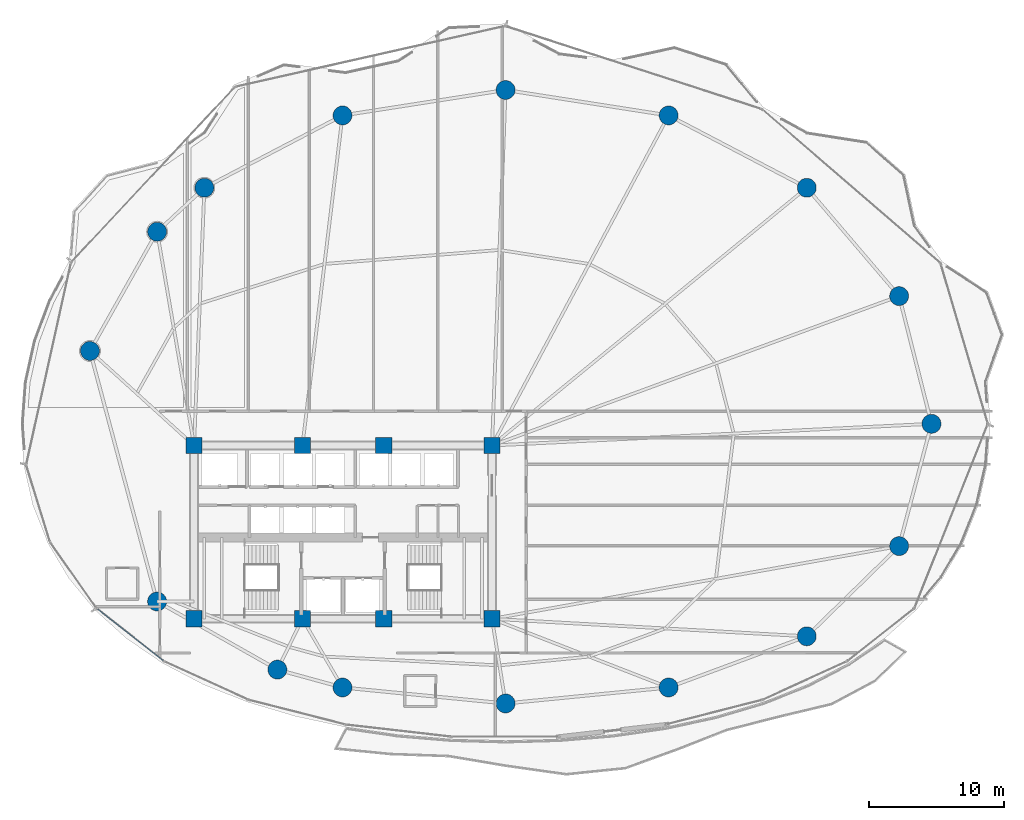
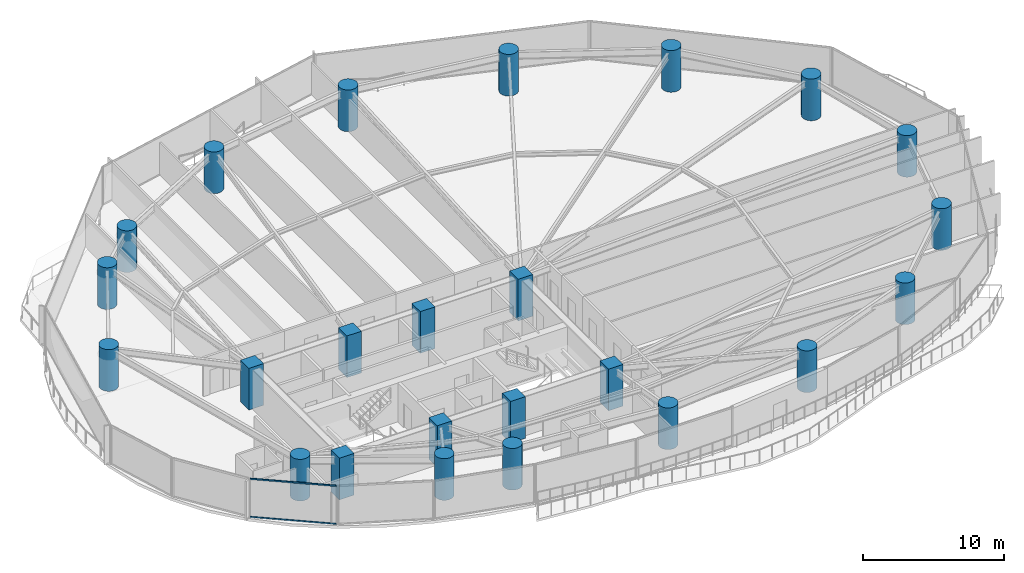
# One storey, part 1 of 33: 24 columns, 2 members, 1 element without a shape of its own.
"""IFC4 building model written with IfcOpenShell, lengths in metres."""

import ifcopenshell
import ifcopenshell.guid

model = None  # the IFC model being written
_history = None  # IfcOwnerHistory: only IFC2X3 demands one
_inside = {}  # id of a spatial element -> (the spatial element, [elements in it])
_under = {}  # id of a project, library or spatial element -> (it, [spatial elements below it])
_declared = {}  # id of a project -> (the project, [libraries it declares])
_typed = {}  # id of a type object -> (the type object, [elements of that type])
_made_of = {}  # id of a material, layer set ... -> (it, [elements and type objects made of it])


def new_model(schema):
    """Start an empty IFC model of exactly this schema.

    Asked for "IFC4X3", IfcOpenShell would pick the latest addendum, in which some entities
    have other attributes; the version numbers below select the first issue.
    IFC2X3 requires an IfcOwnerHistory on every rooted entity: one is made here for all.
    """
    global model, _history
    if schema == "IFC4X3":
        model = ifcopenshell.file(schema_version=(4, 3, 0, 0))
    else:
        model = ifcopenshell.file(schema=schema)
    _inside.clear()
    _under.clear()
    _declared.clear()
    _typed.clear()
    _made_of.clear()
    _history = None
    if model.schema == "IFC2X3":
        org = make("IfcOrganization", Name="unknown")
        user = make(
            "IfcPersonAndOrganization",
            ThePerson=make("IfcPerson", FamilyName="unknown"),
            TheOrganization=org,
        )
        app = make(
            "IfcApplication",
            ApplicationDeveloper=org,
            Version="unknown",
            ApplicationFullName="unknown",
            ApplicationIdentifier="unknown",
        )
        _history = make(
            "IfcOwnerHistory",
            OwningUser=user,
            OwningApplication=app,
            ChangeAction="ADDED",
            CreationDate=0,
        )
    return model


def make(cls, **values):
    """One entity of the class cls with the attributes given. An attribute that is None is left unset."""
    return model.create_entity(
        cls, **{name: value for name, value in values.items() if value is not None}
    )


def rooted(cls, **values):
    """An entity with a GlobalId (a new one), such as an element, a storey or a relation."""
    return make(cls, GlobalId=ifcopenshell.guid.new(), OwnerHistory=_history, **values)


def si_unit(unit_type, name, prefix=None):
    """IfcSIUnit, for example si_unit("LENGTHUNIT", "METRE", prefix="MILLI")."""
    return make("IfcSIUnit", UnitType=unit_type, Prefix=prefix, Name=name)


def assignment(units):
    """IfcUnitAssignment: the units of a project."""
    return None if units is None else make("IfcUnitAssignment", Units=units)


def point(xyz):
    """IfcCartesianPoint."""
    return None if xyz is None else make("IfcCartesianPoint", Coordinates=xyz)


def direction(xyz):
    """IfcDirection."""
    return None if xyz is None else make("IfcDirection", DirectionRatios=xyz)


def frame(location, z_axis=None, x_axis=None):
    """IfcAxis2Placement3D, a coordinate frame: its origin and axes. An axis left out is left unset."""
    return make(
        "IfcAxis2Placement3D",
        Location=point(location),
        Axis=direction(z_axis),
        RefDirection=direction(x_axis),
    )


def frame_2d(location, x_axis=None):
    """IfcAxis2Placement2D, a coordinate frame in the plane: its origin and x axis."""
    return make(
        "IfcAxis2Placement2D", Location=point(location), RefDirection=direction(x_axis)
    )


def origin():
    """The frame at (0, 0, 0) with its axes left unset."""
    return frame((0.0, 0.0, 0.0))


def origin_2d():
    """The frame at (0, 0) in the plane with its x axis left unset."""
    return frame_2d((0.0, 0.0))


def place(relative_to, where):
    """IfcLocalPlacement: puts the frame where relative to a parent placement (None: the world)."""
    return make(
        "IfcLocalPlacement", PlacementRelTo=relative_to, RelativePlacement=where
    )


def context(
    kind, dimensions, precision=None, world=None, true_north=None, identifier=None
):
    """IfcGeometricRepresentationContext, for example the 3D "Model" context."""
    return make(
        "IfcGeometricRepresentationContext",
        ContextIdentifier=identifier,
        ContextType=kind,
        CoordinateSpaceDimension=dimensions,
        Precision=precision,
        WorldCoordinateSystem=world,
        TrueNorth=true_north,
    )


def subcontext(parent, identifier, kind, view, scale=None):
    """IfcGeometricRepresentationSubContext, for example "Body" below "Model"."""
    return make(
        "IfcGeometricRepresentationSubContext",
        ContextIdentifier=identifier,
        ContextType=kind,
        ParentContext=parent,
        TargetScale=scale,
        TargetView=view,
    )


def project(units=None, contexts=None):
    """IfcProject with its units and contexts."""
    return rooted(
        "IfcProject",
        Name="project",
        RepresentationContexts=contexts,
        UnitsInContext=assignment(units),
    )


def spatial(cls, under=None, at=None, **own):
    """A site, building, storey or space (cls), placed at a placement, below another one or the project."""
    s = rooted(cls, ObjectPlacement=at, **own)
    if under is not None:
        _under.setdefault(under.id(), (under, []))[1].append(s)
    return s


def profile(cls, at=None, kind="AREA", **sizes):
    """A parametric profile (cls). Its sizes go by their IFC names, for example OverallWidth=200.0."""
    return make(cls, ProfileType=kind, Position=at, **sizes)


def rectangle(**sizes):
    """IfcRectangleProfileDef."""
    return profile("IfcRectangleProfileDef", **sizes)


def hollow_rectangle(**sizes):
    """IfcRectangleHollowProfileDef."""
    return profile("IfcRectangleHollowProfileDef", **sizes)


def circle(**sizes):
    """IfcCircleProfileDef."""
    return profile("IfcCircleProfileDef", **sizes)


def extrude(swept, where, along, depth):
    """IfcExtrudedAreaSolid: the profile swept, set in the frame where, extruded along a direction by depth."""
    return make(
        "IfcExtrudedAreaSolid",
        SweptArea=swept,
        Position=where,
        ExtrudedDirection=direction(along),
        Depth=depth,
    )


def shape(context_of_items, identifier, shape_type, items):
    """IfcShapeRepresentation: the items that make up one representation, for example the "Body"."""
    return make(
        "IfcShapeRepresentation",
        ContextOfItems=context_of_items,
        RepresentationIdentifier=identifier,
        RepresentationType=shape_type,
        Items=items,
    )


def material(Name=None, Category=None):
    """IfcMaterial."""
    return make("IfcMaterial", Name=Name, Category=Category)


def layer(
    of_material, thickness, ventilated=None, Name=None, Category=None, Priority=None
):
    """IfcMaterialLayer: one layer of a wall or slab, of a material (None: an air gap)."""
    return make(
        "IfcMaterialLayer",
        Material=of_material,
        LayerThickness=thickness,
        IsVentilated=ventilated,
        Name=Name,
        Category=Category,
        Priority=Priority,
    )


def layer_set(layers, Name=None):
    """IfcMaterialLayerSet."""
    return make("IfcMaterialLayerSet", MaterialLayers=layers, LayerSetName=Name)


def material_profile(
    of_material, cross_section, Name=None, Category=None, Priority=None
):
    """IfcMaterialProfile: a cross section and its material."""
    return make(
        "IfcMaterialProfile",
        Name=Name,
        Material=of_material,
        Profile=cross_section,
        Priority=Priority,
        Category=Category,
    )


def profile_set(profiles, Name=None, composite=None):
    """IfcMaterialProfileSet."""
    return make(
        "IfcMaterialProfileSet",
        Name=Name,
        MaterialProfiles=profiles,
        CompositeProfile=composite,
    )


def made_of(thing, what):
    """Note that an element or type object is made of a material, layer set ...; save() writes the relation."""
    if what is not None:
        _made_of.setdefault(what.id(), (what, []))[1].append(thing)
    return thing


def type_object(cls, material=None, **own):
    """A type object (cls), such as IfcWallType, which elements share."""
    return made_of(rooted(cls, **own), material)


def element(
    cls,
    number,
    at=None,
    inside=None,
    cuts=None,
    type_object=None,
    material=None,
    context=None,
    identifier="Body",
    shape_type=None,
    held_by="IfcProductDefinitionShape",
    body=None,
    shapes=None,
    **own,
):
    """One element of the class cls, such as IfcWall. Its Tag is "e" and its number.

    at: its placement. inside: the storey or other place that contains it. cuts: it is an
    opening in that element (IfcRelVoidsElement). A single representation is given by context,
    identifier, shape_type and body (its items); several are given by shapes. held_by: the class
    of the entity that holds the representations. save() writes the other relations.
    """
    e = rooted(cls, Tag="e%d" % number, ObjectPlacement=at, **own)
    if body is not None:
        shapes = [shape(context, identifier, shape_type, body)]
    if shapes is not None:
        e.Representation = make(held_by, Representations=shapes)
    if inside is not None:
        _inside.setdefault(inside.id(), (inside, []))[1].append(e)
    if cuts is not None:
        rooted(
            "IfcRelVoidsElement", RelatingBuildingElement=cuts, RelatedOpeningElement=e
        )
    if type_object is not None:
        _typed.setdefault(type_object.id(), (type_object, []))[1].append(e)
    return made_of(e, material)


def aggregate(whole, parts):
    """IfcRelAggregates: a whole, such as a stair, and the parts it consists of."""
    return rooted("IfcRelAggregates", RelatingObject=whole, RelatedObjects=parts)


def save(model, path):
    """Write the relations noted so far, then the file.

    IfcRelAggregates (storeys below a building ...), IfcRelContainedInSpatialStructure (elements
    in a storey), IfcRelDefinesByType, IfcRelAssociatesMaterial and IfcRelDeclares: one each for
    every whole, place, type object, material and project.
    """
    for whole, parts in _under.values():
        aggregate(whole, parts)
    for where, things in _inside.values():
        rooted(
            "IfcRelContainedInSpatialStructure",
            RelatedElements=things,
            RelatingStructure=where,
        )
    for kind, things in _typed.values():
        rooted("IfcRelDefinesByType", RelatedObjects=things, RelatingType=kind)
    for what, things in _made_of.values():
        rooted("IfcRelAssociatesMaterial", RelatedObjects=things, RelatingMaterial=what)
    for by, libraries in _declared.values():
        rooted("IfcRelDeclares", RelatingContext=by, RelatedDefinitions=libraries)
    model.write(path)


model = new_model("IFC4")

# Units and contexts
model_context = context("Model", 3, precision=1e-05, world=origin(), true_north=direction((0.0, 1.0)))
body_context = subcontext(model_context, "Body", "Model", "MODEL_VIEW")
ifc_project = project(units=[si_unit("LENGTHUNIT", "METRE"), si_unit("AREAUNIT", "SQUARE_METRE"), si_unit("VOLUMEUNIT", "CUBIC_METRE"), si_unit("PLANEANGLEUNIT", "RADIAN"), si_unit("MASSUNIT", "GRAM", prefix="KILO")], contexts=[model_context])

# Site, building, storey
site_placement = place(None, origin())
site = spatial("IfcSite", under=ifc_project, at=site_placement, CompositionType="ELEMENT")
building_placement = place(site_placement, origin())
building = spatial("IfcBuilding", under=site, at=building_placement, Name="Kazevale Care Tower and Concert Hall", CompositionType="ELEMENT")
storey_placement = place(building_placement, frame((0.0, 0.0, 49.199951171875)))
storey = spatial("IfcBuildingStorey", under=building, at=storey_placement, Name="L12", CompositionType="ELEMENT", Elevation=49.199951171875)

# Columns
ifc_material_1 = material(Name="Concrete C70", Category="concrete")
ifc_material_profile_1 = material_profile(ifc_material_1, rectangle(XDim=1.199951171875, YDim=1.199951171875, at=origin_2d()), Name="RC-SQ1200")
ifc_profile_set_1 = profile_set([ifc_material_profile_1], Name="Concrete C70")
column_type_1 = type_object("IfcColumnType", Name="Core Column SQ1200 C70", PredefinedType="COLUMN", material=ifc_profile_set_1)
for number, where, z_axis, x_axis, name in (
    (1, (22.0, 23.60009765625, 0.0), (0.0, 0.0, 1.0), (1.0, 0.0, 0.0), "col:L12:CC-01"),
    (2, (30.0, 23.60009765625, 0.0), (0.0, 0.0, 1.0), (1.0, 0.0, 0.0), "col:L12:CC-02"),
    (3, (36.0, 23.60009765625, 0.0), (0.0, 0.0, 1.0), (1.0, 0.0, 0.0), "col:L12:CC-03"),
    (4, (44.0, 23.60009765625, 0.0), (0.0, 0.0, 1.0), (1.0, 0.0, 0.0), "col:L12:CC-04"),
    (5, (44.0, 36.39990234375, 0.0), (0.0, 0.0, 1.0), (1.0, 0.0, 0.0), "col:L12:CC-05"),
    (6, (36.0, 36.39990234375, 0.0), (0.0, 0.0, 1.0), (1.0, 0.0, 0.0), "col:L12:CC-06"),
    (7, (30.0, 36.39990234375, 0.0), (0.0, 0.0, 1.0), (1.0, 0.0, 0.0), "col:L12:CC-07"),
    (8, (22.0, 36.39990234375, 0.0), (0.0, 0.0, 1.0), (1.0, 0.0, 0.0), "col:L12:CC-08"),
):
    element("IfcColumn", number, at=place(storey_placement, frame(where, z_axis=z_axis, x_axis=x_axis)), inside=storey, type_object=column_type_1, Name=name, PredefinedType="COLUMN", context=body_context, shape_type="SweptSolid", body=[
        extrude(rectangle(XDim=1.199951171875, YDim=1.199951171875, at=origin_2d()), origin(), (0.0, 0.0, 1.0), 3.60009765625),
    ])
ifc_material_profile_2 = material_profile(ifc_material_1, circle(Radius=0.699951171875, at=origin_2d()), Name="RC-CIR1400")
ifc_profile_set_2 = profile_set([ifc_material_profile_2], Name="Concrete C70")
column_type_2 = type_object("IfcColumnType", Name="Perimeter Column CIR1400 C70", PredefinedType="COLUMN", material=ifc_profile_set_2)
for number, where, z_axis, x_axis, name in (
    (9, (76.449951171875, 38.0, 0.0), (0.0, 0.0, 1.0), (1.0, 0.0, 0.0), "col:L12:PC-01"),
    (10, (74.06005859375, 47.429931640625, 0.0), (0.0, 0.0, 1.0), (1.0, 0.0, 0.0), "col:L12:PC-02"),
    (11, (67.239990234375, 55.429931640625, 0.0), (0.0, 0.0, 1.0), (1.0, 0.0, 0.0), "col:L12:PC-03"),
    (12, (57.0400390625, 60.77001953125, 0.0), (0.0, 0.0, 1.0), (1.0, 0.0, 0.0), "col:L12:PC-04"),
    (13, (45.0, 62.64990234375, 0.0), (0.0, 0.0, 1.0), (1.0, 0.0, 0.0), "col:L12:PC-05"),
    (14, (32.9599609375, 60.77001953125, 0.0), (0.0, 0.0, 1.0), (1.0, 0.0, 0.0), "col:L12:PC-06"),
    (15, (22.760009765625, 55.429931640625, 0.0), (0.0, 0.0, 1.0), (1.0, 0.0, 0.0), "col:L12:PC-07"),
    (16, (19.27001953125, 52.179931640625, 0.0), (0.0, 0.0, 1.0), (1.0, 0.0, 0.0), "col:L12:PC-08"),
    (17, (14.31005859375, 43.3798828125, 0.0), (0.0, 0.0, 1.0), (1.0, 0.0, 0.0), "col:L12:PC-09"),
    (18, (19.27001953125, 24.8798828125, 0.0), (0.0, 0.0, 1.0), (1.0, 0.0, 0.0), "col:L12:PC-10"),
    (19, (28.14990234375, 19.85009765625, 0.0), (0.0, 0.0, 1.0), (1.0, 0.0, 0.0), "col:L12:PC-11"),
    (20, (32.9599609375, 18.530029296875, 0.0), (0.0, 0.0, 1.0), (1.0, 0.0, 0.0), "col:L12:PC-12"),
    (21, (45.0, 17.35009765625, 0.0), (0.0, 0.0, 1.0), (1.0, 0.0, 0.0), "col:L12:PC-13"),
    (22, (57.0400390625, 18.530029296875, 0.0), (0.0, 0.0, 1.0), (1.0, 0.0, 0.0), "col:L12:PC-14"),
    (23, (67.239990234375, 22.31005859375, 0.0), (0.0, 0.0, 1.0), (1.0, 0.0, 0.0), "col:L12:PC-15"),
    (24, (74.06005859375, 28.969970703125, 0.0), (0.0, 0.0, 1.0), (1.0, 0.0, 0.0), "col:L12:PC-16"),
):
    element("IfcColumn", number, at=place(storey_placement, frame(where, z_axis=z_axis, x_axis=x_axis)), inside=storey, type_object=column_type_2, Name=name, PredefinedType="COLUMN", context=body_context, shape_type="SweptSolid", body=[
        extrude(circle(Radius=0.699951171875, at=origin_2d()), origin(), (0.0, 0.0, 1.0), 3.60009765625),
    ])

# Curtain wall, members
ifc_material_2 = material(Name="Aluminium 6063-T6 and Low-E Glass", Category="aluminium")
ifc_layer = layer(ifc_material_2, 0.179931640625)
ifc_layer_set = layer_set([ifc_layer], Name="Aluminium 6063-T6 and Low-E Glass")
curtain_wall_type = type_object("IfcCurtainWallType", Name="Sheltered Concave Balcony Curtain Wall CW-5", PredefinedType="NOTDEFINED", material=ifc_layer_set)
curtain_wall_placement = place(storey_placement, origin())
curtain_wall = element("IfcCurtainWall", 25, at=curtain_wall_placement, inside=storey, type_object=curtain_wall_type, Name="cw:L12:f10", PredefinedType="NOTDEFINED")
ifc_material_3 = material(Name="Aluminium 6063-T6", Category="aluminium")
ifc_material_profile_3 = material_profile(ifc_material_3, hollow_rectangle(XDim=0.074951171875, YDim=0.1201171875, WallThickness=0.00390625, at=origin_2d()), Name="ALU75x120x4")
ifc_profile_set_3 = profile_set([ifc_material_profile_3], Name="Aluminium 6063-T6")
member_type = type_object("IfcMemberType", Name="CW-5 Transom ALU75x120x4", PredefinedType="USERDEFINED", material=ifc_profile_set_3)
member_1_placement = place(storey_placement, frame((19.718994140625, 20.513427734375, 0.03759765625), z_axis=(-0.78633897536, 0.617795286344, 0.0), x_axis=(-0.617795286344, -0.78633897536, 0.0)))
member_1 = element("IfcMember", 26, at=member_1_placement, type_object=member_type, Name="CW-5 transom 1.1", ObjectType="TRANSOM", PredefinedType="USERDEFINED", context=body_context, shape_type="SweptSolid", body=[
    extrude(hollow_rectangle(XDim=0.074951171875, YDim=0.1201171875, WallThickness=0.00390625, at=origin_2d()), origin(), (0.0, 0.0, 1.0), 6.15771484375),
])
member_2_placement = place(storey_placement, frame((19.718994140625, 20.513427734375, 3.322509765625), z_axis=(-0.78633897536, 0.617795286344, 0.0), x_axis=(-0.617795286344, -0.78633897536, 0.0)))
member_2 = element("IfcMember", 27, at=member_2_placement, type_object=member_type, Name="CW-5 transom 1.2", ObjectType="TRANSOM", PredefinedType="USERDEFINED", context=body_context, shape_type="SweptSolid", body=[
    extrude(hollow_rectangle(XDim=0.074951171875, YDim=0.1201171875, WallThickness=0.00390625, at=origin_2d()), origin(), (0.0, 0.0, 1.0), 6.15771484375),
])
aggregate(curtain_wall, [member_1, member_2])

save(model, "model.ifc")
